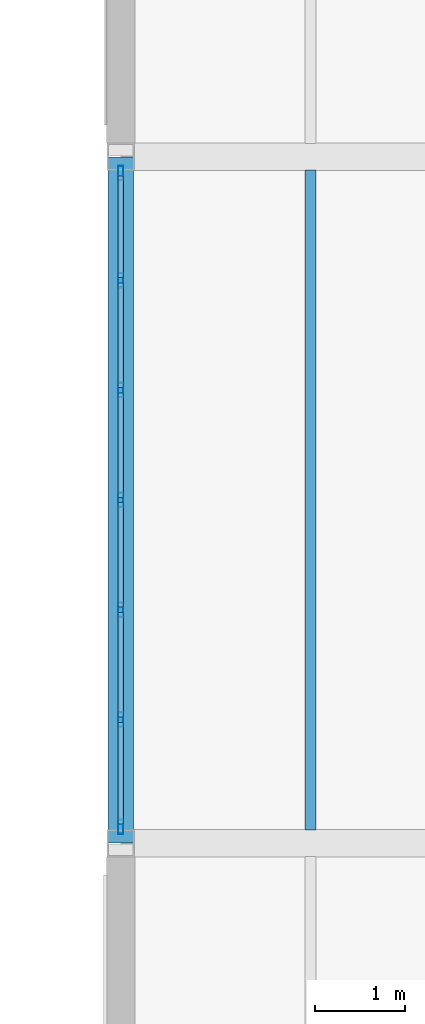
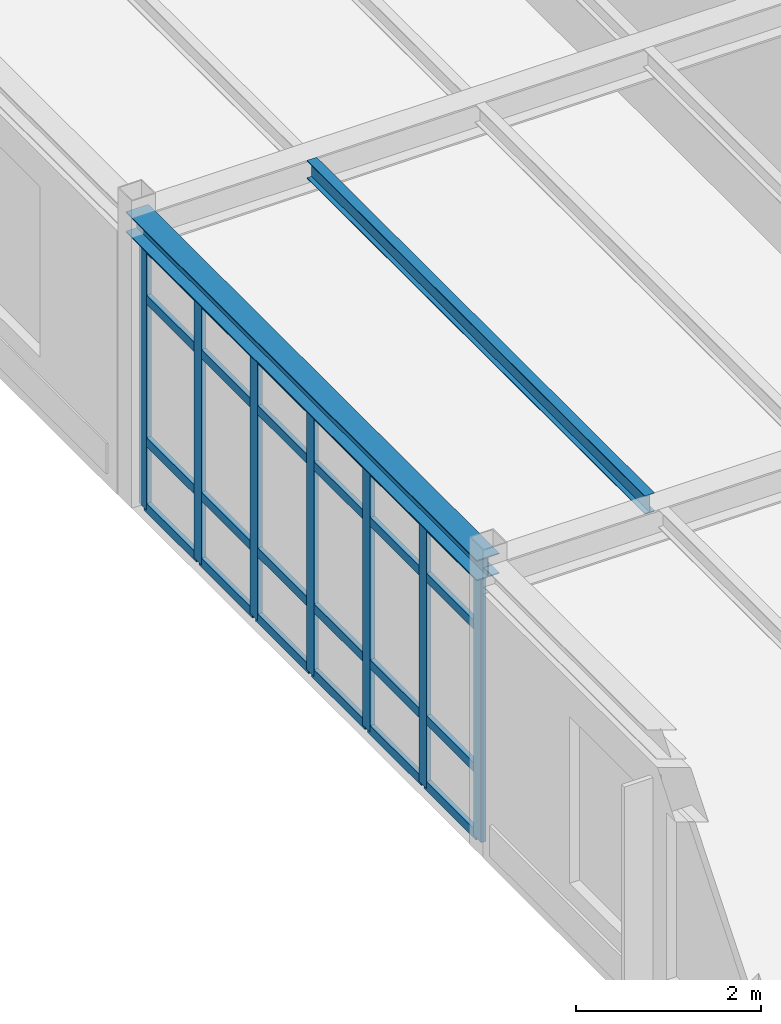
# One storey, part 73 of 165: 31 members, 2 beams, 1 element without a shape of its own.
"""IFC4 building model written with IfcOpenShell, lengths in metres."""

from ifc_helpers import new_model, si_unit, direction, frame, origin, origin_2d, place, context, subcontext, project, spatial, hollow_rectangle, i_section, extrude, material, layer, layer_set, material_profile, profile_set, type_object, element, aggregate, save


model = new_model("IFC4")

# Units and contexts
model_context = context("Model", 3, precision=1e-05, world=origin(), true_north=direction((0.0, 1.0)))
body_context = subcontext(model_context, "Body", "Model", "MODEL_VIEW")
ifc_project = project(units=[si_unit("LENGTHUNIT", "METRE"), si_unit("AREAUNIT", "SQUARE_METRE"), si_unit("VOLUMEUNIT", "CUBIC_METRE"), si_unit("PLANEANGLEUNIT", "RADIAN"), si_unit("MASSUNIT", "GRAM", prefix="KILO")], contexts=[model_context])

# Site, building, storey
site_placement = place(None, origin())
site = spatial("IfcSite", under=ifc_project, at=site_placement, CompositionType="ELEMENT")
building_placement = place(site_placement, origin())
building = spatial("IfcBuilding", under=site, at=building_placement, Name="Montecoro Central Library", CompositionType="ELEMENT")
storey_placement = place(building_placement, frame((0.0, 0.0, 5.10009765625)))
storey = spatial("IfcBuildingStorey", under=building, at=storey_placement, Name="L01", CompositionType="ELEMENT", Elevation=5.10009765625)

# Beams
ifc_material_1 = material(Name="Steel S355", Category="steel")
ifc_material_profile_1 = material_profile(ifc_material_1, i_section(OverallWidth=0.1201171875, OverallDepth=0.239990234375, WebThickness=0.006103515625, FlangeThickness=0.009765625, at=origin_2d()), Name="IPE 240")
ifc_profile_set_1 = profile_set([ifc_material_profile_1], Name="Steel S355")
beam_type_1 = type_object("IfcBeamType", Name="BM-J-IPE240", PredefinedType="JOIST", material=ifc_profile_set_1)
beam_1_placement = place(storey_placement, frame((68.5, 88.7470703125, 3.704833984375), z_axis=(0.0, 1.0, 0.0), x_axis=(-1.0, 0.0, 0.0)))
element("IfcBeam", 1, at=beam_1_placement, inside=storey, type_object=beam_type_1, Name="V2-L01-JS-910-MN-1", PredefinedType="JOIST", context=body_context, shape_type="SweptSolid", body=[
    extrude(i_section(OverallWidth=0.1201171875, OverallDepth=0.239990234375, WebThickness=0.006103515625, FlangeThickness=0.009765625, at=origin_2d()), origin(), (0.0, 0.0, 1.0), 7.305908203125),
])
ifc_material_profile_2 = material_profile(ifc_material_1, i_section(OverallWidth=0.280029296875, OverallDepth=0.27001953125, WebThickness=0.008056640625, FlangeThickness=0.012939453125, at=origin_2d()), Name="HEA 280")
ifc_profile_set_2 = profile_set([ifc_material_profile_2], Name="Steel S355")
beam_type_2 = type_object("IfcBeamType", Name="BM-SP-HEA280", PredefinedType="SPANDREL", material=ifc_profile_set_2)
beam_2_placement = place(storey_placement, frame((66.39990234375, 88.60498046875, 3.68994140625), z_axis=(0.0, 1.0, 0.0), x_axis=(-1.0, 0.0, 0.0)))
element("IfcBeam", 2, at=beam_2_placement, inside=storey, type_object=beam_type_2, Name="V2-L01-BY-9-MN", PredefinedType="SPANDREL", context=body_context, shape_type="SweptSolid", body=[
    extrude(i_section(OverallWidth=0.280029296875, OverallDepth=0.27001953125, WebThickness=0.008056640625, FlangeThickness=0.012939453125, at=origin_2d()), origin(), (0.0, 0.0, 1.0), 7.590087890625),
])

# Curtain wall, members
ifc_material_2 = material(Name="Bronze-anodised aluminium and low-E glazing", Category="aluminium")
ifc_layer = layer(ifc_material_2, 0.159912109375)
ifc_layer_set = layer_set([ifc_layer], Name="Bronze-anodised aluminium and low-E glazing")
curtain_wall_type = type_object("IfcCurtainWallType", Name="CWT-013", PredefinedType="NOTDEFINED", material=ifc_layer_set)
curtain_wall_placement = place(storey_placement, origin())
curtain_wall = element("IfcCurtainWall", 3, at=curtain_wall_placement, inside=storey, type_object=curtain_wall_type, Name="V2-L01-CW-W1", PredefinedType="NOTDEFINED")
ifc_material_3 = material(Name="Bronze-anodised aluminium", Category="aluminium")
ifc_material_profile_3 = material_profile(ifc_material_3, hollow_rectangle(XDim=0.06005859375, YDim=0.159912109375, WallThickness=0.00390625, at=origin_2d()), Name="CWM 160x60x4.0")
ifc_profile_set_3 = profile_set([ifc_material_profile_3], Name="Bronze-anodised aluminium")
member_type_1 = type_object("IfcMemberType", Name="CWM-BRZ-60", PredefinedType="MULLION", material=ifc_profile_set_3)
member_1_placement = place(storey_placement, frame((66.39990234375, 96.01708984375, 0.0), z_axis=(0.0, 0.0, 1.0), x_axis=(1.0, 0.0, 0.0)))
member_1 = element("IfcMember", 4, at=member_1_placement, type_object=member_type_1, Name="CW-013 mullion 1", PredefinedType="MULLION", context=body_context, shape_type="SweptSolid", body=[
    extrude(hollow_rectangle(XDim=0.06005859375, YDim=0.159912109375, WallThickness=0.00390625, at=origin_2d()), origin(), (0.0, 0.0, 1.0), 3.47998046875),
])
member_2_placement = place(storey_placement, frame((66.39990234375, 94.831298828125, 0.0), z_axis=(0.0, 0.0, 1.0), x_axis=(1.0, 0.0, 0.0)))
member_2 = element("IfcMember", 5, at=member_2_placement, type_object=member_type_1, Name="CW-013 mullion 2", PredefinedType="MULLION", context=body_context, shape_type="SweptSolid", body=[
    extrude(hollow_rectangle(XDim=0.06005859375, YDim=0.159912109375, WallThickness=0.00390625, at=origin_2d()), origin(), (0.0, 0.0, 1.0), 3.47998046875),
])
member_3_placement = place(storey_placement, frame((66.39990234375, 93.61572265625, 0.0), z_axis=(0.0, 0.0, 1.0), x_axis=(1.0, 0.0, 0.0)))
member_3 = element("IfcMember", 6, at=member_3_placement, type_object=member_type_1, Name="CW-013 mullion 3", PredefinedType="MULLION", context=body_context, shape_type="SweptSolid", body=[
    extrude(hollow_rectangle(XDim=0.06005859375, YDim=0.159912109375, WallThickness=0.00390625, at=origin_2d()), origin(), (0.0, 0.0, 1.0), 3.47998046875),
])
member_4_placement = place(storey_placement, frame((66.39990234375, 92.39990234375, 0.0), z_axis=(0.0, 0.0, 1.0), x_axis=(1.0, 0.0, 0.0)))
member_4 = element("IfcMember", 7, at=member_4_placement, type_object=member_type_1, Name="CW-013 mullion 4", PredefinedType="MULLION", context=body_context, shape_type="SweptSolid", body=[
    extrude(hollow_rectangle(XDim=0.06005859375, YDim=0.159912109375, WallThickness=0.00390625, at=origin_2d()), origin(), (0.0, 0.0, 1.0), 3.47998046875),
])
member_5_placement = place(storey_placement, frame((66.39990234375, 91.184326171875, 0.0), z_axis=(0.0, 0.0, 1.0), x_axis=(1.0, 0.0, 0.0)))
member_5 = element("IfcMember", 8, at=member_5_placement, type_object=member_type_1, Name="CW-013 mullion 5", PredefinedType="MULLION", context=body_context, shape_type="SweptSolid", body=[
    extrude(hollow_rectangle(XDim=0.06005859375, YDim=0.159912109375, WallThickness=0.00390625, at=origin_2d()), origin(), (0.0, 0.0, 1.0), 3.47998046875),
])
member_6_placement = place(storey_placement, frame((66.39990234375, 89.96875, 0.0), z_axis=(0.0, 0.0, 1.0), x_axis=(1.0, 0.0, 0.0)))
member_6 = element("IfcMember", 9, at=member_6_placement, type_object=member_type_1, Name="CW-013 mullion 6", PredefinedType="MULLION", context=body_context, shape_type="SweptSolid", body=[
    extrude(hollow_rectangle(XDim=0.06005859375, YDim=0.159912109375, WallThickness=0.00390625, at=origin_2d()), origin(), (0.0, 0.0, 1.0), 3.47998046875),
])
member_7_placement = place(storey_placement, frame((66.39990234375, 88.782958984375, 0.0), z_axis=(0.0, 0.0, 1.0), x_axis=(1.0, 0.0, 0.0)))
member_7 = element("IfcMember", 10, at=member_7_placement, type_object=member_type_1, Name="CW-013 mullion 7", PredefinedType="MULLION", context=body_context, shape_type="SweptSolid", body=[
    extrude(hollow_rectangle(XDim=0.06005859375, YDim=0.159912109375, WallThickness=0.00390625, at=origin_2d()), origin(), (0.0, 0.0, 1.0), 3.47998046875),
])
ifc_material_profile_4 = material_profile(ifc_material_3, hollow_rectangle(XDim=0.06005859375, YDim=0.1201171875, WallThickness=0.00390625, at=origin_2d()), Name="CWT 120x60x4.0")
ifc_profile_set_4 = profile_set([ifc_material_profile_4], Name="Bronze-anodised aluminium")
member_type_2 = type_object("IfcMemberType", Name="CWT-BRZ-60", PredefinedType="USERDEFINED", material=ifc_profile_set_4)
member_8_placement = place(storey_placement, frame((66.39990234375, 95.987060546875, 0.02978515625), z_axis=(0.0, -1.0, 0.0), x_axis=(1.0, 0.0, 0.0)))
member_8 = element("IfcMember", 11, at=member_8_placement, type_object=member_type_2, Name="CW-013 transom 1.1", ObjectType="TRANSOM", PredefinedType="USERDEFINED", context=body_context, shape_type="SweptSolid", body=[
    extrude(hollow_rectangle(XDim=0.06005859375, YDim=0.1201171875, WallThickness=0.00390625, at=origin_2d()), origin(), (0.0, 0.0, 1.0), 1.125732421875),
])
member_9_placement = place(storey_placement, frame((66.39990234375, 95.987060546875, 0.89990234375), z_axis=(0.0, -1.0, 0.0), x_axis=(1.0, 0.0, 0.0)))
member_9 = element("IfcMember", 12, at=member_9_placement, type_object=member_type_2, Name="CW-013 transom 1.2", ObjectType="TRANSOM", PredefinedType="USERDEFINED", context=body_context, shape_type="SweptSolid", body=[
    extrude(hollow_rectangle(XDim=0.06005859375, YDim=0.1201171875, WallThickness=0.00390625, at=origin_2d()), origin(), (0.0, 0.0, 1.0), 1.125732421875),
])
member_10_placement = place(storey_placement, frame((66.39990234375, 95.987060546875, 2.77978515625), z_axis=(0.0, -1.0, 0.0), x_axis=(1.0, 0.0, 0.0)))
member_10 = element("IfcMember", 13, at=member_10_placement, type_object=member_type_2, Name="CW-013 transom 1.3", ObjectType="TRANSOM", PredefinedType="USERDEFINED", context=body_context, shape_type="SweptSolid", body=[
    extrude(hollow_rectangle(XDim=0.06005859375, YDim=0.1201171875, WallThickness=0.00390625, at=origin_2d()), origin(), (0.0, 0.0, 1.0), 1.125732421875),
])
member_11_placement = place(storey_placement, frame((66.39990234375, 95.987060546875, 3.449951171875), z_axis=(0.0, -1.0, 0.0), x_axis=(1.0, 0.0, 0.0)))
member_11 = element("IfcMember", 14, at=member_11_placement, type_object=member_type_2, Name="CW-013 transom 1.4", ObjectType="TRANSOM", PredefinedType="USERDEFINED", context=body_context, shape_type="SweptSolid", body=[
    extrude(hollow_rectangle(XDim=0.06005859375, YDim=0.1201171875, WallThickness=0.00390625, at=origin_2d()), origin(), (0.0, 0.0, 1.0), 1.125732421875),
])
member_12_placement = place(storey_placement, frame((66.39990234375, 94.80126953125, 0.02978515625), z_axis=(0.0, -1.0, 0.0), x_axis=(1.0, 0.0, 0.0)))
member_12 = element("IfcMember", 15, at=member_12_placement, type_object=member_type_2, Name="CW-013 transom 2.1", ObjectType="TRANSOM", PredefinedType="USERDEFINED", context=body_context, shape_type="SweptSolid", body=[
    extrude(hollow_rectangle(XDim=0.06005859375, YDim=0.1201171875, WallThickness=0.00390625, at=origin_2d()), origin(), (0.0, 0.0, 1.0), 1.155517578125),
])
member_13_placement = place(storey_placement, frame((66.39990234375, 94.80126953125, 0.89990234375), z_axis=(0.0, -1.0, 0.0), x_axis=(1.0, 0.0, 0.0)))
member_13 = element("IfcMember", 16, at=member_13_placement, type_object=member_type_2, Name="CW-013 transom 2.2", ObjectType="TRANSOM", PredefinedType="USERDEFINED", context=body_context, shape_type="SweptSolid", body=[
    extrude(hollow_rectangle(XDim=0.06005859375, YDim=0.1201171875, WallThickness=0.00390625, at=origin_2d()), origin(), (0.0, 0.0, 1.0), 1.155517578125),
])
member_14_placement = place(storey_placement, frame((66.39990234375, 94.80126953125, 2.77978515625), z_axis=(0.0, -1.0, 0.0), x_axis=(1.0, 0.0, 0.0)))
member_14 = element("IfcMember", 17, at=member_14_placement, type_object=member_type_2, Name="CW-013 transom 2.3", ObjectType="TRANSOM", PredefinedType="USERDEFINED", context=body_context, shape_type="SweptSolid", body=[
    extrude(hollow_rectangle(XDim=0.06005859375, YDim=0.1201171875, WallThickness=0.00390625, at=origin_2d()), origin(), (0.0, 0.0, 1.0), 1.155517578125),
])
member_15_placement = place(storey_placement, frame((66.39990234375, 94.80126953125, 3.449951171875), z_axis=(0.0, -1.0, 0.0), x_axis=(1.0, 0.0, 0.0)))
member_15 = element("IfcMember", 18, at=member_15_placement, type_object=member_type_2, Name="CW-013 transom 2.4", ObjectType="TRANSOM", PredefinedType="USERDEFINED", context=body_context, shape_type="SweptSolid", body=[
    extrude(hollow_rectangle(XDim=0.06005859375, YDim=0.1201171875, WallThickness=0.00390625, at=origin_2d()), origin(), (0.0, 0.0, 1.0), 1.155517578125),
])
member_16_placement = place(storey_placement, frame((66.39990234375, 93.585693359375, 0.02978515625), z_axis=(0.0, -1.0, 0.0), x_axis=(1.0, 0.0, 0.0)))
member_16 = element("IfcMember", 19, at=member_16_placement, type_object=member_type_2, Name="CW-013 transom 3.1", ObjectType="TRANSOM", PredefinedType="USERDEFINED", context=body_context, shape_type="SweptSolid", body=[
    extrude(hollow_rectangle(XDim=0.06005859375, YDim=0.1201171875, WallThickness=0.00390625, at=origin_2d()), origin(), (0.0, 0.0, 1.0), 1.15576171875),
])
member_17_placement = place(storey_placement, frame((66.39990234375, 93.585693359375, 0.89990234375), z_axis=(0.0, -1.0, 0.0), x_axis=(1.0, 0.0, 0.0)))
member_17 = element("IfcMember", 20, at=member_17_placement, type_object=member_type_2, Name="CW-013 transom 3.2", ObjectType="TRANSOM", PredefinedType="USERDEFINED", context=body_context, shape_type="SweptSolid", body=[
    extrude(hollow_rectangle(XDim=0.06005859375, YDim=0.1201171875, WallThickness=0.00390625, at=origin_2d()), origin(), (0.0, 0.0, 1.0), 1.15576171875),
])
member_18_placement = place(storey_placement, frame((66.39990234375, 93.585693359375, 2.77978515625), z_axis=(0.0, -1.0, 0.0), x_axis=(1.0, 0.0, 0.0)))
member_18 = element("IfcMember", 21, at=member_18_placement, type_object=member_type_2, Name="CW-013 transom 3.3", ObjectType="TRANSOM", PredefinedType="USERDEFINED", context=body_context, shape_type="SweptSolid", body=[
    extrude(hollow_rectangle(XDim=0.06005859375, YDim=0.1201171875, WallThickness=0.00390625, at=origin_2d()), origin(), (0.0, 0.0, 1.0), 1.15576171875),
])
member_19_placement = place(storey_placement, frame((66.39990234375, 93.585693359375, 3.449951171875), z_axis=(0.0, -1.0, 0.0), x_axis=(1.0, 0.0, 0.0)))
member_19 = element("IfcMember", 22, at=member_19_placement, type_object=member_type_2, Name="CW-013 transom 3.4", ObjectType="TRANSOM", PredefinedType="USERDEFINED", context=body_context, shape_type="SweptSolid", body=[
    extrude(hollow_rectangle(XDim=0.06005859375, YDim=0.1201171875, WallThickness=0.00390625, at=origin_2d()), origin(), (0.0, 0.0, 1.0), 1.15576171875),
])
member_20_placement = place(storey_placement, frame((66.39990234375, 92.3701171875, 0.02978515625), z_axis=(0.0, -1.0, 0.0), x_axis=(1.0, 0.0, 0.0)))
member_20 = element("IfcMember", 23, at=member_20_placement, type_object=member_type_2, Name="CW-013 transom 4.1", ObjectType="TRANSOM", PredefinedType="USERDEFINED", context=body_context, shape_type="SweptSolid", body=[
    extrude(hollow_rectangle(XDim=0.06005859375, YDim=0.1201171875, WallThickness=0.00390625, at=origin_2d()), origin(), (0.0, 0.0, 1.0), 1.15576171875),
])
member_21_placement = place(storey_placement, frame((66.39990234375, 92.3701171875, 0.89990234375), z_axis=(0.0, -1.0, 0.0), x_axis=(1.0, 0.0, 0.0)))
member_21 = element("IfcMember", 24, at=member_21_placement, type_object=member_type_2, Name="CW-013 transom 4.2", ObjectType="TRANSOM", PredefinedType="USERDEFINED", context=body_context, shape_type="SweptSolid", body=[
    extrude(hollow_rectangle(XDim=0.06005859375, YDim=0.1201171875, WallThickness=0.00390625, at=origin_2d()), origin(), (0.0, 0.0, 1.0), 1.15576171875),
])
member_22_placement = place(storey_placement, frame((66.39990234375, 92.3701171875, 2.77978515625), z_axis=(0.0, -1.0, 0.0), x_axis=(1.0, 0.0, 0.0)))
member_22 = element("IfcMember", 25, at=member_22_placement, type_object=member_type_2, Name="CW-013 transom 4.3", ObjectType="TRANSOM", PredefinedType="USERDEFINED", context=body_context, shape_type="SweptSolid", body=[
    extrude(hollow_rectangle(XDim=0.06005859375, YDim=0.1201171875, WallThickness=0.00390625, at=origin_2d()), origin(), (0.0, 0.0, 1.0), 1.15576171875),
])
member_23_placement = place(storey_placement, frame((66.39990234375, 92.3701171875, 3.449951171875), z_axis=(0.0, -1.0, 0.0), x_axis=(1.0, 0.0, 0.0)))
member_23 = element("IfcMember", 26, at=member_23_placement, type_object=member_type_2, Name="CW-013 transom 4.4", ObjectType="TRANSOM", PredefinedType="USERDEFINED", context=body_context, shape_type="SweptSolid", body=[
    extrude(hollow_rectangle(XDim=0.06005859375, YDim=0.1201171875, WallThickness=0.00390625, at=origin_2d()), origin(), (0.0, 0.0, 1.0), 1.15576171875),
])
member_24_placement = place(storey_placement, frame((66.39990234375, 91.154296875, 0.02978515625), z_axis=(0.0, -1.0, 0.0), x_axis=(1.0, 0.0, 0.0)))
member_24 = element("IfcMember", 27, at=member_24_placement, type_object=member_type_2, Name="CW-013 transom 5.1", ObjectType="TRANSOM", PredefinedType="USERDEFINED", context=body_context, shape_type="SweptSolid", body=[
    extrude(hollow_rectangle(XDim=0.06005859375, YDim=0.1201171875, WallThickness=0.00390625, at=origin_2d()), origin(), (0.0, 0.0, 1.0), 1.155517578125),
])
member_25_placement = place(storey_placement, frame((66.39990234375, 91.154296875, 0.89990234375), z_axis=(0.0, -1.0, 0.0), x_axis=(1.0, 0.0, 0.0)))
member_25 = element("IfcMember", 28, at=member_25_placement, type_object=member_type_2, Name="CW-013 transom 5.2", ObjectType="TRANSOM", PredefinedType="USERDEFINED", context=body_context, shape_type="SweptSolid", body=[
    extrude(hollow_rectangle(XDim=0.06005859375, YDim=0.1201171875, WallThickness=0.00390625, at=origin_2d()), origin(), (0.0, 0.0, 1.0), 1.155517578125),
])
member_26_placement = place(storey_placement, frame((66.39990234375, 91.154296875, 2.77978515625), z_axis=(0.0, -1.0, 0.0), x_axis=(1.0, 0.0, 0.0)))
member_26 = element("IfcMember", 29, at=member_26_placement, type_object=member_type_2, Name="CW-013 transom 5.3", ObjectType="TRANSOM", PredefinedType="USERDEFINED", context=body_context, shape_type="SweptSolid", body=[
    extrude(hollow_rectangle(XDim=0.06005859375, YDim=0.1201171875, WallThickness=0.00390625, at=origin_2d()), origin(), (0.0, 0.0, 1.0), 1.155517578125),
])
member_27_placement = place(storey_placement, frame((66.39990234375, 91.154296875, 3.449951171875), z_axis=(0.0, -1.0, 0.0), x_axis=(1.0, 0.0, 0.0)))
member_27 = element("IfcMember", 30, at=member_27_placement, type_object=member_type_2, Name="CW-013 transom 5.4", ObjectType="TRANSOM", PredefinedType="USERDEFINED", context=body_context, shape_type="SweptSolid", body=[
    extrude(hollow_rectangle(XDim=0.06005859375, YDim=0.1201171875, WallThickness=0.00390625, at=origin_2d()), origin(), (0.0, 0.0, 1.0), 1.155517578125),
])
member_28_placement = place(storey_placement, frame((66.39990234375, 89.938720703125, 0.02978515625), z_axis=(0.0, -1.0, 0.0), x_axis=(1.0, 0.0, 0.0)))
member_28 = element("IfcMember", 31, at=member_28_placement, type_object=member_type_2, Name="CW-013 transom 6.1", ObjectType="TRANSOM", PredefinedType="USERDEFINED", context=body_context, shape_type="SweptSolid", body=[
    extrude(hollow_rectangle(XDim=0.06005859375, YDim=0.1201171875, WallThickness=0.00390625, at=origin_2d()), origin(), (0.0, 0.0, 1.0), 1.125732421875),
])
member_29_placement = place(storey_placement, frame((66.39990234375, 89.938720703125, 0.89990234375), z_axis=(0.0, -1.0, 0.0), x_axis=(1.0, 0.0, 0.0)))
member_29 = element("IfcMember", 32, at=member_29_placement, type_object=member_type_2, Name="CW-013 transom 6.2", ObjectType="TRANSOM", PredefinedType="USERDEFINED", context=body_context, shape_type="SweptSolid", body=[
    extrude(hollow_rectangle(XDim=0.06005859375, YDim=0.1201171875, WallThickness=0.00390625, at=origin_2d()), origin(), (0.0, 0.0, 1.0), 1.125732421875),
])
member_30_placement = place(storey_placement, frame((66.39990234375, 89.938720703125, 2.77978515625), z_axis=(0.0, -1.0, 0.0), x_axis=(1.0, 0.0, 0.0)))
member_30 = element("IfcMember", 33, at=member_30_placement, type_object=member_type_2, Name="CW-013 transom 6.3", ObjectType="TRANSOM", PredefinedType="USERDEFINED", context=body_context, shape_type="SweptSolid", body=[
    extrude(hollow_rectangle(XDim=0.06005859375, YDim=0.1201171875, WallThickness=0.00390625, at=origin_2d()), origin(), (0.0, 0.0, 1.0), 1.125732421875),
])
member_31_placement = place(storey_placement, frame((66.39990234375, 89.938720703125, 3.449951171875), z_axis=(0.0, -1.0, 0.0), x_axis=(1.0, 0.0, 0.0)))
member_31 = element("IfcMember", 34, at=member_31_placement, type_object=member_type_2, Name="CW-013 transom 6.4", ObjectType="TRANSOM", PredefinedType="USERDEFINED", context=body_context, shape_type="SweptSolid", body=[
    extrude(hollow_rectangle(XDim=0.06005859375, YDim=0.1201171875, WallThickness=0.00390625, at=origin_2d()), origin(), (0.0, 0.0, 1.0), 1.125732421875),
])
aggregate(curtain_wall, [member_1, member_2, member_3, member_4, member_5, member_6, member_7, member_8, member_9, member_10, member_11, member_12, member_13, member_14, member_15, member_16, member_17, member_18, member_19, member_20, member_21, member_22, member_23, member_24, member_25, member_26, member_27, member_28, member_29, member_30, member_31])

save(model, "model.ifc")
